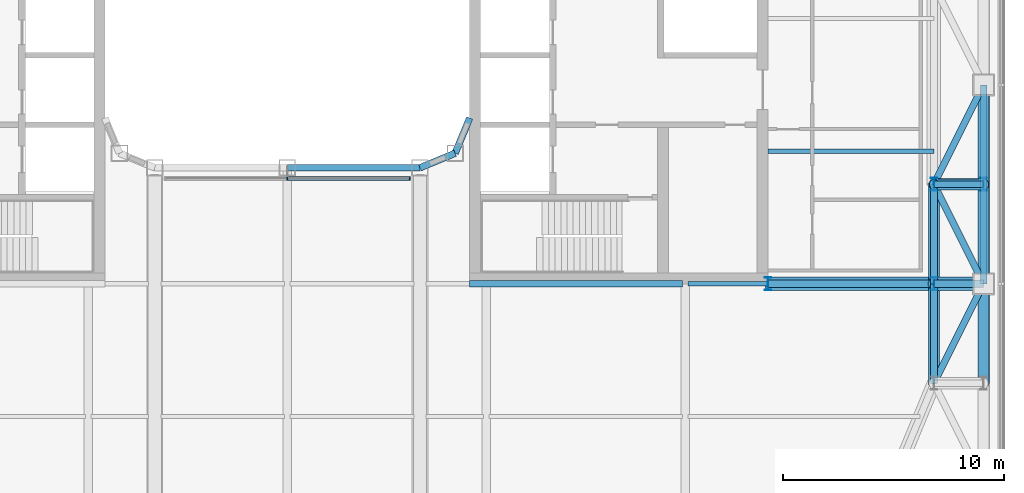
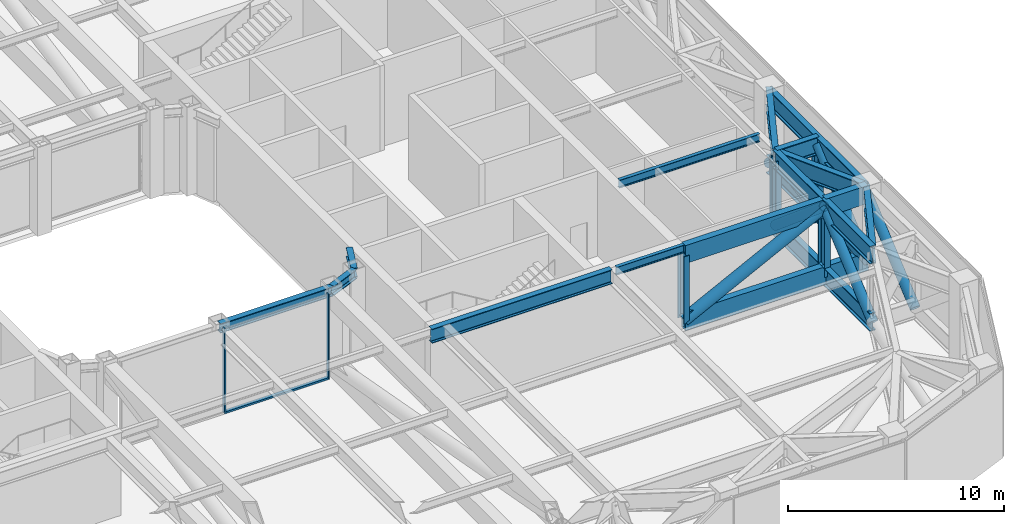
# One storey, part 6 of 33: 21 beams, 15 members, 1 element without a shape of its own.
"""IFC4 building model written with IfcOpenShell, lengths in metres."""

import ifcopenshell
import ifcopenshell.guid

model = None  # the IFC model being written
_history = None  # IfcOwnerHistory: only IFC2X3 demands one
_inside = {}  # id of a spatial element -> (the spatial element, [elements in it])
_under = {}  # id of a project, library or spatial element -> (it, [spatial elements below it])
_declared = {}  # id of a project -> (the project, [libraries it declares])
_typed = {}  # id of a type object -> (the type object, [elements of that type])
_made_of = {}  # id of a material, layer set ... -> (it, [elements and type objects made of it])


def new_model(schema):
    """Start an empty IFC model of exactly this schema.

    Asked for "IFC4X3", IfcOpenShell would pick the latest addendum, in which some entities
    have other attributes; the version numbers below select the first issue.
    IFC2X3 requires an IfcOwnerHistory on every rooted entity: one is made here for all.
    """
    global model, _history
    if schema == "IFC4X3":
        model = ifcopenshell.file(schema_version=(4, 3, 0, 0))
    else:
        model = ifcopenshell.file(schema=schema)
    _inside.clear()
    _under.clear()
    _declared.clear()
    _typed.clear()
    _made_of.clear()
    _history = None
    if model.schema == "IFC2X3":
        org = make("IfcOrganization", Name="unknown")
        user = make(
            "IfcPersonAndOrganization",
            ThePerson=make("IfcPerson", FamilyName="unknown"),
            TheOrganization=org,
        )
        app = make(
            "IfcApplication",
            ApplicationDeveloper=org,
            Version="unknown",
            ApplicationFullName="unknown",
            ApplicationIdentifier="unknown",
        )
        _history = make(
            "IfcOwnerHistory",
            OwningUser=user,
            OwningApplication=app,
            ChangeAction="ADDED",
            CreationDate=0,
        )
    return model


def make(cls, **values):
    """One entity of the class cls with the attributes given. An attribute that is None is left unset."""
    return model.create_entity(
        cls, **{name: value for name, value in values.items() if value is not None}
    )


def rooted(cls, **values):
    """An entity with a GlobalId (a new one), such as an element, a storey or a relation."""
    return make(cls, GlobalId=ifcopenshell.guid.new(), OwnerHistory=_history, **values)


def si_unit(unit_type, name, prefix=None):
    """IfcSIUnit, for example si_unit("LENGTHUNIT", "METRE", prefix="MILLI")."""
    return make("IfcSIUnit", UnitType=unit_type, Prefix=prefix, Name=name)


def assignment(units):
    """IfcUnitAssignment: the units of a project."""
    return None if units is None else make("IfcUnitAssignment", Units=units)


def point(xyz):
    """IfcCartesianPoint."""
    return None if xyz is None else make("IfcCartesianPoint", Coordinates=xyz)


def direction(xyz):
    """IfcDirection."""
    return None if xyz is None else make("IfcDirection", DirectionRatios=xyz)


def frame(location, z_axis=None, x_axis=None):
    """IfcAxis2Placement3D, a coordinate frame: its origin and axes. An axis left out is left unset."""
    return make(
        "IfcAxis2Placement3D",
        Location=point(location),
        Axis=direction(z_axis),
        RefDirection=direction(x_axis),
    )


def frame_2d(location, x_axis=None):
    """IfcAxis2Placement2D, a coordinate frame in the plane: its origin and x axis."""
    return make(
        "IfcAxis2Placement2D", Location=point(location), RefDirection=direction(x_axis)
    )


def origin():
    """The frame at (0, 0, 0) with its axes left unset."""
    return frame((0.0, 0.0, 0.0))


def origin_2d():
    """The frame at (0, 0) in the plane with its x axis left unset."""
    return frame_2d((0.0, 0.0))


def place(relative_to, where):
    """IfcLocalPlacement: puts the frame where relative to a parent placement (None: the world)."""
    return make(
        "IfcLocalPlacement", PlacementRelTo=relative_to, RelativePlacement=where
    )


def context(
    kind, dimensions, precision=None, world=None, true_north=None, identifier=None
):
    """IfcGeometricRepresentationContext, for example the 3D "Model" context."""
    return make(
        "IfcGeometricRepresentationContext",
        ContextIdentifier=identifier,
        ContextType=kind,
        CoordinateSpaceDimension=dimensions,
        Precision=precision,
        WorldCoordinateSystem=world,
        TrueNorth=true_north,
    )


def subcontext(parent, identifier, kind, view, scale=None):
    """IfcGeometricRepresentationSubContext, for example "Body" below "Model"."""
    return make(
        "IfcGeometricRepresentationSubContext",
        ContextIdentifier=identifier,
        ContextType=kind,
        ParentContext=parent,
        TargetScale=scale,
        TargetView=view,
    )


def project(units=None, contexts=None):
    """IfcProject with its units and contexts."""
    return rooted(
        "IfcProject",
        Name="project",
        RepresentationContexts=contexts,
        UnitsInContext=assignment(units),
    )


def spatial(cls, under=None, at=None, **own):
    """A site, building, storey or space (cls), placed at a placement, below another one or the project."""
    s = rooted(cls, ObjectPlacement=at, **own)
    if under is not None:
        _under.setdefault(under.id(), (under, []))[1].append(s)
    return s


def profile(cls, at=None, kind="AREA", **sizes):
    """A parametric profile (cls). Its sizes go by their IFC names, for example OverallWidth=200.0."""
    return make(cls, ProfileType=kind, Position=at, **sizes)


def rectangle(**sizes):
    """IfcRectangleProfileDef."""
    return profile("IfcRectangleProfileDef", **sizes)


def hollow_rectangle(**sizes):
    """IfcRectangleHollowProfileDef."""
    return profile("IfcRectangleHollowProfileDef", **sizes)


def hollow_circle(**sizes):
    """IfcCircleHollowProfileDef."""
    return profile("IfcCircleHollowProfileDef", **sizes)


def i_section(**sizes):
    """IfcIShapeProfileDef."""
    return profile("IfcIShapeProfileDef", **sizes)


def extrude(swept, where, along, depth):
    """IfcExtrudedAreaSolid: the profile swept, set in the frame where, extruded along a direction by depth."""
    return make(
        "IfcExtrudedAreaSolid",
        SweptArea=swept,
        Position=where,
        ExtrudedDirection=direction(along),
        Depth=depth,
    )


def shape(context_of_items, identifier, shape_type, items):
    """IfcShapeRepresentation: the items that make up one representation, for example the "Body"."""
    return make(
        "IfcShapeRepresentation",
        ContextOfItems=context_of_items,
        RepresentationIdentifier=identifier,
        RepresentationType=shape_type,
        Items=items,
    )


def material(Name=None, Category=None):
    """IfcMaterial."""
    return make("IfcMaterial", Name=Name, Category=Category)


def layer(
    of_material, thickness, ventilated=None, Name=None, Category=None, Priority=None
):
    """IfcMaterialLayer: one layer of a wall or slab, of a material (None: an air gap)."""
    return make(
        "IfcMaterialLayer",
        Material=of_material,
        LayerThickness=thickness,
        IsVentilated=ventilated,
        Name=Name,
        Category=Category,
        Priority=Priority,
    )


def layer_set(layers, Name=None):
    """IfcMaterialLayerSet."""
    return make("IfcMaterialLayerSet", MaterialLayers=layers, LayerSetName=Name)


def material_profile(
    of_material, cross_section, Name=None, Category=None, Priority=None
):
    """IfcMaterialProfile: a cross section and its material."""
    return make(
        "IfcMaterialProfile",
        Name=Name,
        Material=of_material,
        Profile=cross_section,
        Priority=Priority,
        Category=Category,
    )


def profile_set(profiles, Name=None, composite=None):
    """IfcMaterialProfileSet."""
    return make(
        "IfcMaterialProfileSet",
        Name=Name,
        MaterialProfiles=profiles,
        CompositeProfile=composite,
    )


def made_of(thing, what):
    """Note that an element or type object is made of a material, layer set ...; save() writes the relation."""
    if what is not None:
        _made_of.setdefault(what.id(), (what, []))[1].append(thing)
    return thing


def type_object(cls, material=None, **own):
    """A type object (cls), such as IfcWallType, which elements share."""
    return made_of(rooted(cls, **own), material)


def element(
    cls,
    number,
    at=None,
    inside=None,
    cuts=None,
    type_object=None,
    material=None,
    context=None,
    identifier="Body",
    shape_type=None,
    held_by="IfcProductDefinitionShape",
    body=None,
    shapes=None,
    **own,
):
    """One element of the class cls, such as IfcWall. Its Tag is "e" and its number.

    at: its placement. inside: the storey or other place that contains it. cuts: it is an
    opening in that element (IfcRelVoidsElement). A single representation is given by context,
    identifier, shape_type and body (its items); several are given by shapes. held_by: the class
    of the entity that holds the representations. save() writes the other relations.
    """
    e = rooted(cls, Tag="e%d" % number, ObjectPlacement=at, **own)
    if body is not None:
        shapes = [shape(context, identifier, shape_type, body)]
    if shapes is not None:
        e.Representation = make(held_by, Representations=shapes)
    if inside is not None:
        _inside.setdefault(inside.id(), (inside, []))[1].append(e)
    if cuts is not None:
        rooted(
            "IfcRelVoidsElement", RelatingBuildingElement=cuts, RelatedOpeningElement=e
        )
    if type_object is not None:
        _typed.setdefault(type_object.id(), (type_object, []))[1].append(e)
    return made_of(e, material)


def aggregate(whole, parts):
    """IfcRelAggregates: a whole, such as a stair, and the parts it consists of."""
    return rooted("IfcRelAggregates", RelatingObject=whole, RelatedObjects=parts)


def save(model, path):
    """Write the relations noted so far, then the file.

    IfcRelAggregates (storeys below a building ...), IfcRelContainedInSpatialStructure (elements
    in a storey), IfcRelDefinesByType, IfcRelAssociatesMaterial and IfcRelDeclares: one each for
    every whole, place, type object, material and project.
    """
    for whole, parts in _under.values():
        aggregate(whole, parts)
    for where, things in _inside.values():
        rooted(
            "IfcRelContainedInSpatialStructure",
            RelatedElements=things,
            RelatingStructure=where,
        )
    for kind, things in _typed.values():
        rooted("IfcRelDefinesByType", RelatedObjects=things, RelatingType=kind)
    for what, things in _made_of.values():
        rooted("IfcRelAssociatesMaterial", RelatedObjects=things, RelatingMaterial=what)
    for by, libraries in _declared.values():
        rooted("IfcRelDeclares", RelatingContext=by, RelatedDefinitions=libraries)
    model.write(path)


model = new_model("IFC4")

# Units and contexts
model_context = context("Model", 3, precision=1e-05, world=origin(), true_north=direction((0.0, 1.0)))
body_context = subcontext(model_context, "Body", "Model", "MODEL_VIEW")
ifc_project = project(units=[si_unit("LENGTHUNIT", "METRE"), si_unit("AREAUNIT", "SQUARE_METRE"), si_unit("VOLUMEUNIT", "CUBIC_METRE"), si_unit("PLANEANGLEUNIT", "RADIAN"), si_unit("MASSUNIT", "GRAM", prefix="KILO")], contexts=[model_context])

# Site, building, storey
site_placement = place(None, origin())
site = spatial("IfcSite", under=ifc_project, at=site_placement, CompositionType="ELEMENT")
building_placement = place(site_placement, origin())
building = spatial("IfcBuilding", under=site, at=building_placement, Name="Siwar Civic Tower", CompositionType="ELEMENT")
storey_placement = place(building_placement, frame((0.0, 0.0, 94.199951171875)))
storey = spatial("IfcBuildingStorey", under=building, at=storey_placement, Name="L20", CompositionType="ELEMENT", Elevation=94.199951171875)

# Curtain wall, members
ifc_material_1 = material(Name="Aluminium and glass", Category="aluminium")
ifc_layer = layer(ifc_material_1, 0.179931640625)
ifc_layer_set = layer_set([ifc_layer], Name="Aluminium and glass")
curtain_wall_type = type_object("IfcCurtainWallType", Name="ENV-CW-W", PredefinedType="NOTDEFINED", material=ifc_layer_set)
curtain_wall_placement = place(storey_placement, origin())
curtain_wall = element("IfcCurtainWall", 1, at=curtain_wall_placement, inside=storey, type_object=curtain_wall_type, Name="Curtain wall W WS-00", PredefinedType="NOTDEFINED")
ifc_material_2 = material(Name="Aluminium 6063-T6", Category="aluminium")
ifc_material_profile_1 = material_profile(ifc_material_2, rectangle(XDim=0.179931640625, YDim=0.06005859375, at=origin_2d()), Name="AL 180x60")
ifc_profile_set_1 = profile_set([ifc_material_profile_1], Name="Aluminium 6063-T6")
member_type_1 = type_object("IfcMemberType", Name="ENV-MULLION-W", PredefinedType="MULLION", material=ifc_profile_set_1)
member_1_placement = place(storey_placement, frame((0.0, -8.735107421875, 0.0), z_axis=(0.0, 0.0, 1.0), x_axis=(0.0, 1.0, 0.0)))
member_1 = element("IfcMember", 2, at=member_1_placement, type_object=member_type_1, Name="Mullion W WS-00 2", PredefinedType="MULLION", context=body_context, shape_type="SweptSolid", body=[
    extrude(rectangle(XDim=0.179931640625, YDim=0.06005859375, at=origin_2d()), origin(), (0.0, 0.0, 1.0), 4.800048828125),
])
member_2_placement = place(storey_placement, frame((5.534423828125, -8.735107421875, 0.0), z_axis=(0.0, 0.0, 1.0), x_axis=(0.0, 1.0, 0.0)))
member_2 = element("IfcMember", 3, at=member_2_placement, type_object=member_type_1, Name="Mullion W WS-00 3", PredefinedType="MULLION", context=body_context, shape_type="SweptSolid", body=[
    extrude(rectangle(XDim=0.179931640625, YDim=0.06005859375, at=origin_2d()), origin(), (0.0, 0.0, 1.0), 4.800048828125),
])
ifc_material_3 = material(Name="Aluminium 6063-T6", Category="aluminium")
ifc_material_profile_2 = material_profile(ifc_material_3, rectangle(XDim=0.179931640625, YDim=0.10009765625, at=origin_2d()), Name="AL 180x100")
ifc_profile_set_2 = profile_set([ifc_material_profile_2], Name="Aluminium 6063-T6")
member_type_2 = type_object("IfcMemberType", Name="ENV-TRANSOM-W", PredefinedType="USERDEFINED", material=ifc_profile_set_2)
member_3_placement = place(storey_placement, frame((0.030029296875, -8.735107421875, 0.050048828125), z_axis=(1.0, 0.0, 0.0), x_axis=(0.0, 1.0, 0.0)))
member_3 = element("IfcMember", 4, at=member_3_placement, type_object=member_type_2, Name="Transom W WS-00 2", ObjectType="TRANSOM", PredefinedType="USERDEFINED", context=body_context, shape_type="SweptSolid", body=[
    extrude(rectangle(XDim=0.179931640625, YDim=0.10009765625, at=origin_2d()), origin(), (0.0, 0.0, 1.0), 5.474365234375),
])
aggregate(curtain_wall, [member_1, member_2, member_3])

# Beams
ifc_material_4 = material(Name="Steel S460", Category="steel")
ifc_material_profile_3 = material_profile(ifc_material_4, i_section(OverallWidth=0.302001953125, OverallDepth=1.008056640625, WebThickness=0.02099609375, FlangeThickness=0.0400390625, FilletRadius=0.030029296875, at=origin_2d()), Name="HEM1000")
ifc_profile_set_3 = profile_set([ifc_material_profile_3], Name="Steel S460")
beam_type_1 = type_object("IfcBeamType", Name="STR-BELT-TRUSS-CHORD-HEM1000", PredefinedType="BEAM", material=ifc_profile_set_3)
for number, where, z_axis, x_axis, name in (
    (5, (29.25, -18.0, 0.504150390625), (0.0, 1.0, 0.0), (-1.0, 0.0, 0.0), "Belt truss chord"),
    (6, (29.25, -18.0, 4.296142578125), (0.0, 1.0, 0.0), (-1.0, 0.0, 0.0), "Belt truss chord"),
    (7, (29.25, -13.5, 0.504150390625), (0.0, 1.0, 0.0), (-1.0, 0.0, 0.0), "Belt truss chord"),
    (8, (29.25, -13.5, 4.296142578125), (0.0, 1.0, 0.0), (-1.0, 0.0, 0.0), "Belt truss chord"),
):
    element("IfcBeam", number, at=place(storey_placement, frame(where, z_axis=z_axis, x_axis=x_axis)), inside=storey, type_object=beam_type_1, Name=name, PredefinedType="BEAM", context=body_context, shape_type="SweptSolid", body=[
        extrude(i_section(OverallWidth=0.302001953125, OverallDepth=1.008056640625, WebThickness=0.02099609375, FlangeThickness=0.0400390625, FilletRadius=0.030029296875, at=origin_2d()), origin(), (0.0, 0.0, 1.0), 4.5),
    ])
for number, where, z_axis, x_axis, name in (
    (9, (31.5, -13.5, 0.504150390625), (0.0, 1.0, 0.0), (-1.0, 0.0, 0.0), "Belt truss chord"),
    (10, (31.5, -13.5, 4.296142578125), (0.0, 1.0, 0.0), (-1.0, 0.0, 0.0), "Belt truss chord"),
):
    element("IfcBeam", number, at=place(storey_placement, frame(where, z_axis=z_axis, x_axis=x_axis)), inside=storey, type_object=beam_type_1, Name=name, PredefinedType="BEAM", context=body_context, shape_type="SweptSolid", body=[
        extrude(i_section(OverallWidth=0.302001953125, OverallDepth=1.008056640625, WebThickness=0.02099609375, FlangeThickness=0.0400390625, FilletRadius=0.030029296875, at=origin_2d()), origin(), (0.0, 0.0, 1.0), 9.0),
    ])

# Members
ifc_material_5 = material(Name="Steel S355", Category="steel")
ifc_material_profile_4 = material_profile(ifc_material_5, hollow_circle(Radius=0.25390625, WallThickness=0.02490234375, at=origin_2d()), Name="CHS508x25")
ifc_profile_set_4 = profile_set([ifc_material_profile_4], Name="Steel S355")
member_type_3 = type_object("IfcMemberType", Name="STR-BELT-TRUSS-DIAGONAL-CHS508x25", PredefinedType="BRACE", material=ifc_profile_set_4)
for number, where, z_axis, x_axis, name in (
    (11, (29.25, -18.00390625, 0.500732421875), (0.0, 0.764699580999, 0.644386957364), (-1.0, 0.0, 0.0), "Belt truss diagonal"),
    (12, (29.25, -8.99609375, 0.500732421875), (0.0, -0.764699580999, 0.644386957364), (1.0, 0.0, 0.0), "Belt truss diagonal"),
    (13, (31.5, -18.00390625, 0.500732421875), (0.0, 0.764699580999, 0.644386957364), (-1.0, 0.0, 0.0), "Belt truss diagonal"),
    (14, (31.5, -13.50390625, 0.500732421875), (0.0, 0.764699580999, 0.644386957364), (-1.0, 0.0, 0.0), "Belt truss diagonal"),
    (15, (31.5, -4.49609375, 0.500732421875), (0.0, -0.764699580999, 0.644386957364), (1.0, 0.0, 0.0), "Belt truss diagonal"),
):
    element("IfcMember", number, at=place(storey_placement, frame(where, z_axis=z_axis, x_axis=x_axis)), inside=storey, type_object=member_type_3, Name=name, PredefinedType="BRACE", context=body_context, shape_type="SweptSolid", body=[
        extrude(hollow_circle(Radius=0.25390625, WallThickness=0.02490234375, at=origin_2d()), origin(), (0.0, 0.0, 1.0), 5.894775390625),
    ])
member_4_placement = place(storey_placement, frame((31.50244140625, -9.0, 0.499755859375), z_axis=(-0.510256630496, 0.0, 0.860022192176), x_axis=(0.0, -1.0, 0.0)))
element("IfcMember", 16, at=member_4_placement, inside=storey, type_object=member_type_3, Name="Belt truss diagonal", PredefinedType="BRACE", context=body_context, shape_type="SweptSolid", body=[
    extrude(hollow_circle(Radius=0.25390625, WallThickness=0.02490234375, at=origin_2d()), origin(), (0.0, 0.0, 1.0), 4.419189453125),
])

# Beams
ifc_material_6 = material(Name="Steel S460", Category="steel")
ifc_material_profile_5 = material_profile(ifc_material_6, i_section(OverallWidth=0.302001953125, OverallDepth=1.008056640625, WebThickness=0.02099609375, FlangeThickness=0.0400390625, FilletRadius=0.030029296875, at=origin_2d()), Name="HEM1000")
ifc_profile_set_5 = profile_set([ifc_material_profile_5], Name="Steel S460")
beam_type_2 = type_object("IfcBeamType", Name="STR-BELT-TRUSS-LADDER-CHORD-HEM1000", PredefinedType="BEAM", material=ifc_profile_set_5)
for number, where, z_axis, x_axis, name in (
    (17, (29.25, -9.0, 0.504150390625), (1.0, 0.0, 0.0), (0.0, 1.0, 0.0), "Belt truss ladder chord"),
    (18, (29.25, -9.0, 4.296142578125), (1.0, 0.0, 0.0), (0.0, 1.0, 0.0), "Belt truss ladder chord"),
):
    element("IfcBeam", number, at=place(storey_placement, frame(where, z_axis=z_axis, x_axis=x_axis)), inside=storey, type_object=beam_type_2, Name=name, PredefinedType="BEAM", context=body_context, shape_type="SweptSolid", body=[
        extrude(i_section(OverallWidth=0.302001953125, OverallDepth=1.008056640625, WebThickness=0.02099609375, FlangeThickness=0.0400390625, FilletRadius=0.030029296875, at=origin_2d()), origin(), (0.0, 0.0, 1.0), 2.25),
    ])

# Members
ifc_material_7 = material(Name="Steel S355", Category="steel")
ifc_material_profile_6 = material_profile(ifc_material_7, i_section(OverallWidth=0.300048828125, OverallDepth=0.60009765625, WebThickness=0.015380859375, FlangeThickness=0.030029296875, FilletRadius=0.027099609375, at=origin_2d()), Name="HEB600")
ifc_profile_set_6 = profile_set([ifc_material_profile_6], Name="Steel S355")
member_type_4 = type_object("IfcMemberType", Name="STR-BELT-TRUSS-POST-HEB600", PredefinedType="POST", material=ifc_profile_set_6)
for number, where, z_axis, x_axis, name in (
    (19, (29.25, -13.5, 0.504150390625), (0.0, 0.0, 1.0), (1.0, 0.0, 0.0), "Belt truss post"),
    (20, (29.25, -9.0, 0.504150390625), (0.0, 0.0, 1.0), (1.0, 0.0, 0.0), "Belt truss post"),
    (21, (31.5, -9.0, 0.504150390625), (0.0, 0.0, 1.0), (1.0, 0.0, 0.0), "Belt truss post"),
):
    element("IfcMember", number, at=place(storey_placement, frame(where, z_axis=z_axis, x_axis=x_axis)), inside=storey, type_object=member_type_4, Name=name, PredefinedType="POST", context=body_context, shape_type="SweptSolid", body=[
        extrude(i_section(OverallWidth=0.300048828125, OverallDepth=0.60009765625, WebThickness=0.015380859375, FlangeThickness=0.030029296875, FilletRadius=0.027099609375, at=origin_2d()), origin(), (0.0, 0.0, 1.0), 3.7919921875),
    ])

# Beams
ifc_material_8 = material(Name="Steel S355", Category="steel")
ifc_material_profile_7 = material_profile(ifc_material_8, i_section(OverallWidth=0.18994140625, OverallDepth=0.449951171875, WebThickness=0.009521484375, FlangeThickness=0.0146484375, FilletRadius=0.02099609375, at=origin_2d()), Name="IPE450")
ifc_profile_set_7 = profile_set([ifc_material_profile_7], Name="Steel S355")
beam_type_3 = type_object("IfcBeamType", Name="STR-FB-IPE450", PredefinedType="JOIST", material=ifc_profile_set_7)
beam_1_placement = place(storey_placement, frame((18.1298828125, -13.5, 4.574951171875), z_axis=(1.0, 0.0, 0.0), x_axis=(0.0, 1.0, 0.0)))
element("IfcBeam", 22, at=beam_1_placement, inside=storey, type_object=beam_type_3, Name="L20/bm/F024", PredefinedType="JOIST", context=body_context, shape_type="SweptSolid", body=[
    extrude(i_section(OverallWidth=0.18994140625, OverallDepth=0.449951171875, WebThickness=0.009521484375, FlangeThickness=0.0146484375, FilletRadius=0.02099609375, at=origin_2d()), origin(), (0.0, 0.0, 1.0), 3.6201171875),
])
beam_2_placement = place(storey_placement, frame((21.75, -7.5, 4.574951171875), z_axis=(1.0, 0.0, 0.0), x_axis=(0.0, 1.0, 0.0)))
element("IfcBeam", 23, at=beam_2_placement, inside=storey, type_object=beam_type_3, Name="L20/bm/F026", PredefinedType="JOIST", context=body_context, shape_type="SweptSolid", body=[
    extrude(i_section(OverallWidth=0.18994140625, OverallDepth=0.449951171875, WebThickness=0.009521484375, FlangeThickness=0.0146484375, FilletRadius=0.02099609375, at=origin_2d()), origin(), (0.0, 0.0, 1.0), 7.5),
])
ifc_material_9 = material(Name="Steel S460", Category="steel")
ifc_material_profile_8 = material_profile(ifc_material_9, hollow_rectangle(XDim=0.35009765625, YDim=1.008056640625, WallThickness=0.0400390625, at=origin_2d()), Name="BOX1008x350x40")
ifc_profile_set_8 = profile_set([ifc_material_profile_8], Name="Steel S460")
beam_type_4 = type_object("IfcBeamType", Name="STR-OUTRIGGER-TRUSS-CHORD-BOX1008x350x40", PredefinedType="BEAM", material=ifc_profile_set_8)
for number, where, z_axis, x_axis, name in (
    (24, (31.5, -13.5, 0.504150390625), (-1.0, 0.0, 0.0), (0.0, -1.0, 0.0), "Outrigger truss chord"),
    (25, (31.5, -13.5, 4.296142578125), (-1.0, 0.0, 0.0), (0.0, -1.0, 0.0), "Outrigger truss chord"),
):
    element("IfcBeam", number, at=place(storey_placement, frame(where, z_axis=z_axis, x_axis=x_axis)), inside=storey, type_object=beam_type_4, Name=name, PredefinedType="BEAM", context=body_context, shape_type="SweptSolid", body=[
        extrude(hollow_rectangle(XDim=0.35009765625, YDim=1.008056640625, WallThickness=0.0400390625, at=origin_2d()), origin(), (0.0, 0.0, 1.0), 2.25),
    ])
for number, where, z_axis, x_axis, name in (
    (26, (29.25, -13.5, 0.504150390625), (-1.0, 0.0, 0.0), (0.0, -1.0, 0.0), "Outrigger truss chord"),
    (27, (29.25, -13.5, 4.296142578125), (-1.0, 0.0, 0.0), (0.0, -1.0, 0.0), "Outrigger truss chord"),
):
    element("IfcBeam", number, at=place(storey_placement, frame(where, z_axis=z_axis, x_axis=x_axis)), inside=storey, type_object=beam_type_4, Name=name, PredefinedType="BEAM", context=body_context, shape_type="SweptSolid", body=[
        extrude(hollow_rectangle(XDim=0.35009765625, YDim=1.008056640625, WallThickness=0.0400390625, at=origin_2d()), origin(), (0.0, 0.0, 1.0), 7.5),
    ])

# Members
ifc_material_10 = material(Name="Steel S355", Category="steel")
ifc_material_profile_9 = material_profile(ifc_material_10, hollow_circle(Radius=0.304931640625, WallThickness=0.030029296875, at=origin_2d()), Name="CHS610x30")
ifc_profile_set_9 = profile_set([ifc_material_profile_9], Name="Steel S355")
member_type_5 = type_object("IfcMemberType", Name="STR-OUTRIGGER-TRUSS-DIAGONAL-CHS610x30", PredefinedType="BRACE", material=ifc_profile_set_9)
member_5_placement = place(storey_placement, frame((31.50244140625, -13.5, 0.499755859375), z_axis=(-0.510256630496, 0.0, 0.860022192176), x_axis=(0.0, -1.0, 0.0)))
element("IfcMember", 28, at=member_5_placement, inside=storey, type_object=member_type_5, Name="Outrigger truss diagonal", PredefinedType="BRACE", context=body_context, shape_type="SweptSolid", body=[
    extrude(hollow_circle(Radius=0.304931640625, WallThickness=0.030029296875, at=origin_2d()), origin(), (0.0, 0.0, 1.0), 4.419189453125),
])
member_6_placement = place(storey_placement, frame((21.74560546875, -13.5, 0.501708984375), z_axis=(0.892410281818, 0.0, 0.451224876205), x_axis=(0.0, 1.0, 0.0)))
element("IfcMember", 29, at=member_6_placement, inside=storey, type_object=member_type_5, Name="Outrigger truss diagonal", PredefinedType="BRACE", context=body_context, shape_type="SweptSolid", body=[
    extrude(hollow_circle(Radius=0.304931640625, WallThickness=0.030029296875, at=origin_2d()), origin(), (0.0, 0.0, 1.0), 8.4140625),
])
ifc_material_11 = material(Name="Steel S355", Category="steel")
ifc_material_profile_10 = material_profile(ifc_material_11, i_section(OverallWidth=0.300048828125, OverallDepth=0.60009765625, WebThickness=0.015380859375, FlangeThickness=0.030029296875, FilletRadius=0.027099609375, at=origin_2d()), Name="HEB600")
ifc_profile_set_10 = profile_set([ifc_material_profile_10], Name="Steel S355")
member_type_6 = type_object("IfcMemberType", Name="STR-OUTRIGGER-TRUSS-POST-HEB600", PredefinedType="POST", material=ifc_profile_set_10)
member_7_placement = place(storey_placement, frame((21.75, -13.5, 0.504150390625), z_axis=(0.0, 0.0, 1.0), x_axis=(1.0, 0.0, 0.0)))
element("IfcMember", 30, at=member_7_placement, inside=storey, type_object=member_type_6, Name="Outrigger truss post", PredefinedType="POST", context=body_context, shape_type="SweptSolid", body=[
    extrude(i_section(OverallWidth=0.300048828125, OverallDepth=0.60009765625, WebThickness=0.015380859375, FlangeThickness=0.030029296875, FilletRadius=0.027099609375, at=origin_2d()), origin(), (0.0, 0.0, 1.0), 3.7919921875),
])

# Beams
ifc_material_12 = material(Name="Steel S355", Category="steel")
ifc_material_profile_11 = material_profile(ifc_material_12, i_section(OverallWidth=0.300048828125, OverallDepth=0.800048828125, WebThickness=0.017578125, FlangeThickness=0.032958984375, FilletRadius=0.030029296875, at=origin_2d()), Name="HEB800")
ifc_profile_set_11 = profile_set([ifc_material_profile_11], Name="Steel S355")
beam_type_5 = type_object("IfcBeamType", Name="STR-PG-HEB800", PredefinedType="BEAM", material=ifc_profile_set_11)
beam_3_placement = place(storey_placement, frame((8.25, -13.5, 4.400146484375), z_axis=(1.0, 0.0, 0.0), x_axis=(0.0, 1.0, 0.0)))
element("IfcBeam", 31, at=beam_3_placement, inside=storey, type_object=beam_type_5, Name="L20/bm/F023", PredefinedType="BEAM", context=body_context, shape_type="SweptSolid", body=[
    extrude(i_section(OverallWidth=0.300048828125, OverallDepth=0.800048828125, WebThickness=0.017578125, FlangeThickness=0.032958984375, FilletRadius=0.030029296875, at=origin_2d()), origin(), (0.0, 0.0, 1.0), 9.6201171875),
])
ifc_material_13 = material(Name="Steel S355", Category="steel")
ifc_material_profile_12 = material_profile(ifc_material_13, i_section(OverallWidth=0.305908203125, OverallDepth=0.52392578125, WebThickness=0.02099609375, FlangeThickness=0.0400390625, FilletRadius=0.027099609375, at=origin_2d()), Name="HEM500")
ifc_profile_set_12 = profile_set([ifc_material_profile_12], Name="Steel S355")
beam_type_6 = type_object("IfcBeamType", Name="STR-RB-HEM500", PredefinedType="BEAM", material=ifc_profile_set_12)
beam_4_placement = place(storey_placement, frame((0.0, -8.25, 4.5380859375), z_axis=(1.0, 0.0, 0.0), x_axis=(0.0, 1.0, 0.0)))
element("IfcBeam", 32, at=beam_4_placement, inside=storey, type_object=beam_type_6, Name="L20/bm/RS2", PredefinedType="BEAM", context=body_context, shape_type="SweptSolid", body=[
    extrude(i_section(OverallWidth=0.305908203125, OverallDepth=0.52392578125, WebThickness=0.02099609375, FlangeThickness=0.0400390625, FilletRadius=0.027099609375, at=origin_2d()), origin(), (0.0, 0.0, 1.0), 6.0),
])
for number, where, z_axis, x_axis, name in (
    (33, (6.0, -8.25, 4.5380859375), (0.923901072997, 0.382631424892, 0.0), (-0.382631424892, 0.923901072997, 0.0), "L20/bm/RS3"),
    (34, (7.591064453125, -7.591064453125, 4.5380859375), (0.382631424892, 0.923901072997, 0.0), (-0.923901072997, 0.382631424892, 0.0), "L20/bm/RSEE"),
):
    element("IfcBeam", number, at=place(storey_placement, frame(where, z_axis=z_axis, x_axis=x_axis)), inside=storey, type_object=beam_type_6, Name=name, PredefinedType="BEAM", context=body_context, shape_type="SweptSolid", body=[
        extrude(i_section(OverallWidth=0.305908203125, OverallDepth=0.52392578125, WebThickness=0.02099609375, FlangeThickness=0.0400390625, FilletRadius=0.027099609375, at=origin_2d()), origin(), (0.0, 0.0, 1.0), 1.72216796875),
    ])
ifc_material_14 = material(Name="Steel S460", Category="steel")
ifc_material_profile_13 = material_profile(ifc_material_14, i_section(OverallWidth=0.302001953125, OverallDepth=1.008056640625, WebThickness=0.02099609375, FlangeThickness=0.0400390625, FilletRadius=0.030029296875, at=origin_2d()), Name="HEM1000")
ifc_profile_set_13 = profile_set([ifc_material_profile_13], Name="Steel S460")
beam_type_7 = type_object("IfcBeamType", Name="STR-TRANSFER-GIRDER-HEM1000", PredefinedType="BEAM", material=ifc_profile_set_13)
for number, where, z_axis, x_axis, name in (
    (35, (29.25, -18.0, 4.296142578125), (0.4472135955, 0.894427191, 0.0), (-0.894427191, 0.4472135955, 0.0), "Transfer girder"),
    (36, (29.25, -9.0, 4.296142578125), (0.4472135955, -0.894427191, 0.0), (0.894427191, 0.4472135955, 0.0), "Transfer girder"),
    (37, (29.25, -9.0, 4.296142578125), (0.4472135955, 0.894427191, 0.0), (-0.894427191, 0.4472135955, 0.0), "Transfer girder"),
):
    element("IfcBeam", number, at=place(storey_placement, frame(where, z_axis=z_axis, x_axis=x_axis)), inside=storey, type_object=beam_type_7, Name=name, PredefinedType="BEAM", context=body_context, shape_type="SweptSolid", body=[
        extrude(i_section(OverallWidth=0.302001953125, OverallDepth=1.008056640625, WebThickness=0.02099609375, FlangeThickness=0.0400390625, FilletRadius=0.030029296875, at=origin_2d()), origin(), (0.0, 0.0, 1.0), 5.03125),
    ])

save(model, "model.ifc")
